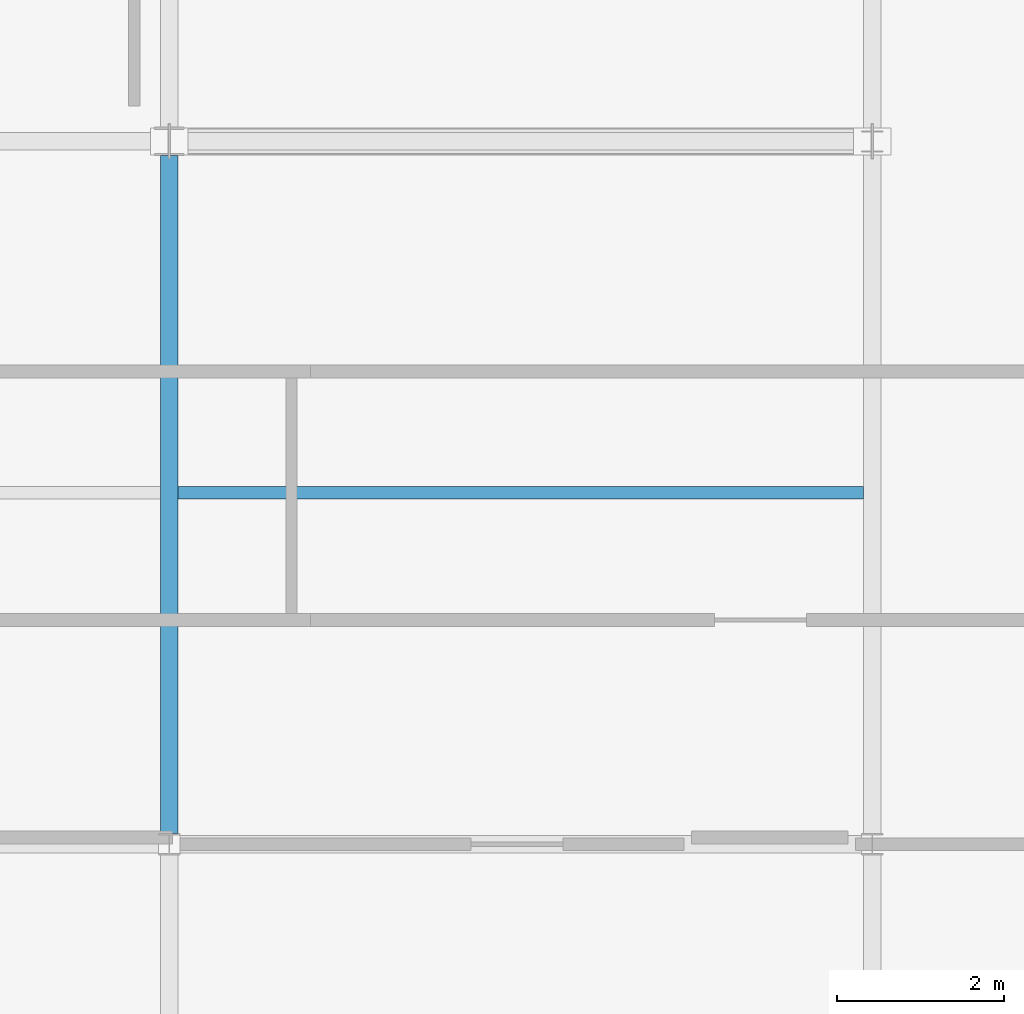
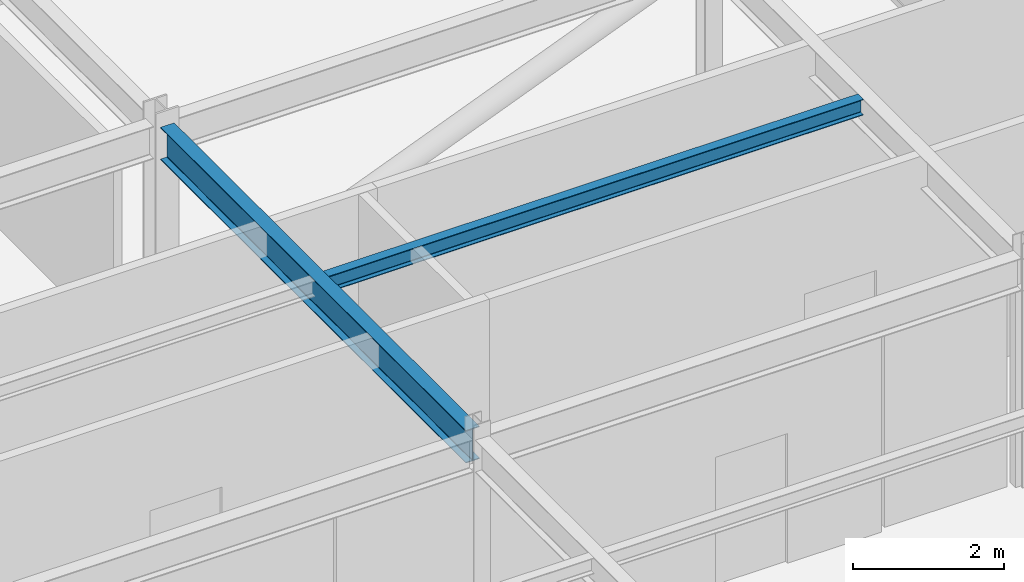
# One storey, part 7 of 19: 2 beams.
"""IFC4 building model written with IfcOpenShell, lengths in metres."""

from ifc_helpers import new_model, si_unit, direction, frame, origin, origin_2d, place, context, subcontext, project, spatial, i_section, extrude, material, material_profile, profile_set, type_object, element, save


model = new_model("IFC4")

# Units and contexts
model_context = context("Model", 3, precision=1e-05, world=origin(), true_north=direction((0.0, 1.0)))
body_context = subcontext(model_context, "Body", "Model", "MODEL_VIEW")
ifc_project = project(units=[si_unit("LENGTHUNIT", "METRE"), si_unit("AREAUNIT", "SQUARE_METRE"), si_unit("VOLUMEUNIT", "CUBIC_METRE"), si_unit("PLANEANGLEUNIT", "RADIAN"), si_unit("MASSUNIT", "GRAM", prefix="KILO")], contexts=[model_context])

# Site, building, storey
site_placement = place(None, origin())
site = spatial("IfcSite", under=ifc_project, at=site_placement, CompositionType="ELEMENT")
building_placement = place(site_placement, origin())
building = spatial("IfcBuilding", under=site, at=building_placement, Name="Varnakote Quay Hospital", CompositionType="ELEMENT")
storey_placement = place(building_placement, frame((0.0, 0.0, 240.75)))
storey = spatial("IfcBuildingStorey", under=building, at=storey_placement, Name="L59", CompositionType="ELEMENT", Elevation=240.75)

# Beams
ifc_material_1 = material(Name="Structural steel AS/NZS 3679.1 Grade 350 L0 (fy 340 MPa)", Category="steel")
ifc_material_profile_1 = material_profile(ifc_material_1, i_section(OverallWidth=0.208984375, OverallDepth=0.528076171875, WebThickness=0.009521484375, FlangeThickness=0.01318359375, FilletRadius=0.013916015625, at=origin_2d()), Name="530UB82.0")
ifc_profile_set_1 = profile_set([ifc_material_profile_1], Name="Structural steel AS/NZS 3679.1 Grade 350 L0 (fy 340 MPa)")
beam_type_1 = type_object("IfcBeamType", Name="BM-STL-530UB82-0", PredefinedType="BEAM", material=ifc_profile_set_1)
beam_1_placement = place(storey_placement, frame((33.60009765625, 12.126953125, 3.446044921875), z_axis=(0.0, 1.0, 0.0), x_axis=(-1.0, 0.0, 0.0)))
element("IfcBeam", 1, at=beam_1_placement, inside=storey, type_object=beam_type_1, Name="L59 Primary Tie Beam", PredefinedType="BEAM", context=body_context, shape_type="SweptSolid", body=[
    extrude(i_section(OverallWidth=0.208984375, OverallDepth=0.528076171875, WebThickness=0.009521484375, FlangeThickness=0.01318359375, FilletRadius=0.013916015625, at=origin_2d()), origin(), (0.0, 0.0, 1.0), 8.10302734375),
])
ifc_material_2 = material(Name="Structural steel AS/NZS 3679.1 Grade 350 L0 (fy 340 MPa)", Category="steel")
ifc_material_profile_2 = material_profile(ifc_material_2, i_section(OverallWidth=0.14599609375, OverallDepth=0.256103515625, WebThickness=0.00634765625, FlangeThickness=0.010986328125, FilletRadius=0.0087890625, at=origin_2d()), Name="250UB37.3")
ifc_profile_set_2 = profile_set([ifc_material_profile_2], Name="Structural steel AS/NZS 3679.1 Grade 350 L0 (fy 340 MPa)")
beam_type_2 = type_object("IfcBeamType", Name="JST-STL-250UB37-3", PredefinedType="JOIST", material=ifc_profile_set_2)
beam_2_placement = place(storey_placement, frame((33.70458984375, 16.199951171875, 3.58203125), z_axis=(1.0, 0.0, 0.0), x_axis=(0.0, 1.0, 0.0)))
element("IfcBeam", 2, at=beam_2_placement, inside=storey, type_object=beam_type_2, Name="L59 Composite Floor Joist", PredefinedType="JOIST", context=body_context, shape_type="SweptSolid", body=[
    extrude(i_section(OverallWidth=0.14599609375, OverallDepth=0.256103515625, WebThickness=0.00634765625, FlangeThickness=0.010986328125, FilletRadius=0.0087890625, at=origin_2d()), origin(), (0.0, 0.0, 1.0), 8.19091796875),
])

save(model, "model.ifc")
